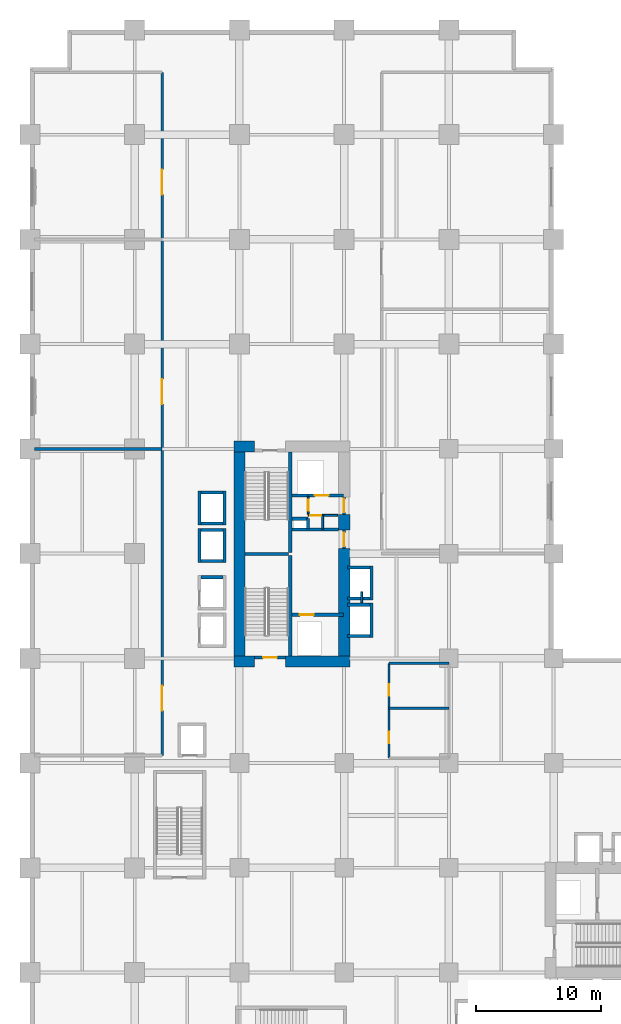
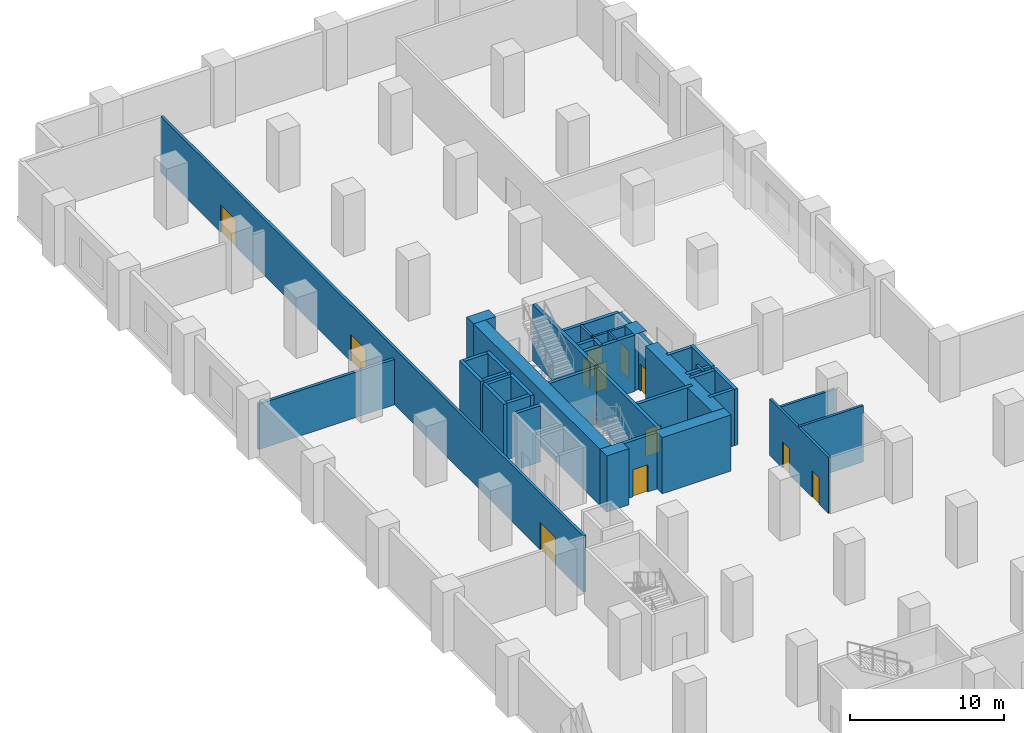
# One storey, part 12 of 22: 41 walls, 12 doors, 12 openings.
"""IFC4 building model written with IfcOpenShell, lengths in metres."""

from ifc_helpers import new_model, si_unit, direction, frame, frame_2d, origin, place, context, subcontext, project, spatial, rectangle, extrude, material, layer, layer_set, type_object, element, fill, save


model = new_model("IFC4")

# Units and contexts
model_context = context("Model", 3, precision=1e-05, world=origin(), true_north=direction((0.0, 1.0)))
body_context = subcontext(model_context, "Body", "Model", "MODEL_VIEW")
ifc_project = project(units=[si_unit("LENGTHUNIT", "METRE"), si_unit("AREAUNIT", "SQUARE_METRE"), si_unit("VOLUMEUNIT", "CUBIC_METRE"), si_unit("PLANEANGLEUNIT", "RADIAN"), si_unit("MASSUNIT", "GRAM", prefix="KILO")], contexts=[model_context])

# Site, building, storey
site_placement = place(None, origin())
site = spatial("IfcSite", under=ifc_project, at=site_placement, CompositionType="ELEMENT")
building_placement = place(site_placement, origin())
building = spatial("IfcBuilding", under=site, at=building_placement, Name="Koriwani Terraces Tower", CompositionType="ELEMENT")
storey_placement = place(building_placement, frame((0.0, 0.0, 10.800048828125)))
storey = spatial("IfcBuildingStorey", under=building, at=storey_placement, Name="L02", CompositionType="ELEMENT", Elevation=10.800048828125)

# Walls
ifc_material_1 = material(Name="Concrete C60/75", Category="concrete")
ifc_layer_1 = layer(ifc_material_1, 0.89990234375, Name="Concrete C60/75")
ifc_layer_set_1 = layer_set([ifc_layer_1], Name="Concrete C60/75")
wall_type_1 = type_object("IfcWallType", Name="WALL_CORE_RC_900", PredefinedType="SHEAR", material=ifc_layer_set_1)
wall_1_placement = place(storey_placement, frame((16.35009765625, 41.75, 0.0), z_axis=(0.0, 0.0, 1.0), x_axis=(1.0, 0.0, 0.0)))
element("IfcWall", 1, at=wall_1_placement, inside=storey, type_object=wall_type_1, Name="L02 West Split Core Shear Wall S1", PredefinedType="SHEAR", context=body_context, shape_type="SweptSolid", body=[
    extrude(rectangle(XDim=1.64990234375, YDim=0.89990234375, at=frame_2d((0.824951171875, 0.0))), origin(), (0.0, 0.0, 1.0), 4.449951171875),
])
wall_2_placement = place(storey_placement, frame((20.5, 41.75, 0.0), z_axis=(0.0, 0.0, 1.0), x_axis=(1.0, 0.0, 0.0)))
element("IfcWall", 2, at=wall_2_placement, inside=storey, type_object=wall_type_1, Name="L02 West Split Core Shear Wall S2", PredefinedType="SHEAR", context=body_context, shape_type="SweptSolid", body=[
    extrude(rectangle(XDim=5.14990234375, YDim=0.89990234375, at=frame_2d((2.574951171875, 0.0))), origin(), (0.0, 0.0, 1.0), 4.449951171875),
])
wall_3_placement = place(storey_placement, frame((16.35009765625, 59.0, 0.0), z_axis=(0.0, 0.0, 1.0), x_axis=(1.0, 0.0, 0.0)))
element("IfcWall", 3, at=wall_3_placement, inside=storey, type_object=wall_type_1, Name="L02 West Split Core Shear Wall N1", PredefinedType="SHEAR", context=body_context, shape_type="SweptSolid", body=[
    extrude(rectangle(XDim=1.64990234375, YDim=0.89990234375, at=frame_2d((0.824951171875, 0.0))), origin(), (0.0, 0.0, 1.0), 4.449951171875),
])
wall_4_placement = place(storey_placement, frame((16.800048828125, 42.199951171875, 0.0), z_axis=(0.0, 0.0, 1.0), x_axis=(0.0, 1.0, 0.0)))
element("IfcWall", 4, at=wall_4_placement, inside=storey, type_object=wall_type_1, Name="L02 West Split Core Shear Wall W1", PredefinedType="SHEAR", context=body_context, shape_type="SweptSolid", body=[
    extrude(rectangle(XDim=16.35009765625, YDim=0.89990234375, at=frame_2d((8.175048828125, 0.0))), origin(), (0.0, 0.0, 1.0), 4.449951171875),
])
wall_5_placement = place(storey_placement, frame((25.199951171875, 42.199951171875, 0.0), z_axis=(0.0, 0.0, 1.0), x_axis=(0.0, 1.0, 0.0)))
element("IfcWall", 5, at=wall_5_placement, inside=storey, type_object=wall_type_1, Name="L02 West Split Core Shear Wall E1", PredefinedType="SHEAR", context=body_context, shape_type="SweptSolid", body=[
    extrude(rectangle(XDim=8.60009765625, YDim=0.89990234375, at=frame_2d((4.300048828125, 0.0))), origin(), (0.0, 0.0, 1.0), 4.449951171875),
])
wall_6_placement = place(storey_placement, frame((25.199951171875, 52.280029296875, 0.0), z_axis=(0.0, 0.0, 1.0), x_axis=(0.0, 1.0, 0.0)))
element("IfcWall", 6, at=wall_6_placement, inside=storey, type_object=wall_type_1, Name="L02 West Split Core Shear Wall E2", PredefinedType="SHEAR", context=body_context, shape_type="SweptSolid", body=[
    extrude(rectangle(XDim=1.27001953125, YDim=0.89990234375, at=frame_2d((0.635009765625, 0.0))), origin(), (0.0, 0.0, 1.0), 4.449951171875),
])

# Wall, openings, doors
ifc_material_2 = material(Name="Autoclaved Cellular Concrete Blockwork", Category="masonry")
ifc_layer_2 = layer(ifc_material_2, 0.199951171875, Name="Autoclaved Cellular Concrete Blockwork")
ifc_layer_set_2 = layer_set([ifc_layer_2], Name="Autoclaved Cellular Concrete Blockwork")
wall_type_2 = type_object("IfcWallType", Name="WALL_CORRIDOR_200", PredefinedType="PARTITIONING", material=ifc_layer_set_2)
wall_7_placement = place(storey_placement, frame((10.60009765625, 34.199951171875, 0.0), z_axis=(0.0, 0.0, 1.0), x_axis=(0.0, 1.0, 0.0)))
wall_7 = element("IfcWall", 7, at=wall_7_placement, inside=storey, type_object=wall_type_2, Name="L02 Interior Wall WPOD-W-L02-0", PredefinedType="PARTITIONING", context=body_context, shape_type="SweptSolid", body=[
    extrude(rectangle(XDim=54.800048828125, YDim=0.199951171875, at=frame_2d((27.39990234375, 0.0))), origin(), (0.0, 0.0, 1.0), 4.449951171875),
])
opening_1_placement = place(wall_7_placement, frame((3.60009765625, 0.0, 0.0)))
opening_1 = element("IfcOpeningElement", 8, at=opening_1_placement, cuts=wall_7, Name="Opening D-02", PredefinedType="OPENING", context=body_context, shape_type="SweptSolid", body=[
    extrude(rectangle(XDim=2.0, YDim=2.14990234375, at=frame_2d((1.0, 1.074951171875))), frame((0.0, 0.10986328125, 0.0), z_axis=(0.0, -1.0, 0.0), x_axis=(1.0, 0.0, 0.0)), (0.0, 0.0, 1.0), 0.219970703125),
])
opening_2_placement = place(wall_7_placement, frame((28.199951171875, 0.0, 0.0)))
opening_2 = element("IfcOpeningElement", 9, at=opening_2_placement, cuts=wall_7, Name="Opening D-02", PredefinedType="OPENING", context=body_context, shape_type="SweptSolid", body=[
    extrude(rectangle(XDim=2.0, YDim=2.14990234375, at=frame_2d((1.0, 1.074951171875))), frame((0.0, 0.10986328125, 0.0), z_axis=(0.0, -1.0, 0.0), x_axis=(1.0, 0.0, 0.0)), (0.0, 0.0, 1.0), 0.219970703125),
])
opening_3_placement = place(wall_7_placement, frame((45.0, 0.0, 0.0)))
opening_3 = element("IfcOpeningElement", 10, at=opening_3_placement, cuts=wall_7, Name="Opening D-02", PredefinedType="OPENING", context=body_context, shape_type="SweptSolid", body=[
    extrude(rectangle(XDim=2.0, YDim=2.14990234375, at=frame_2d((1.0, 1.074951171875))), frame((0.0, 0.10986328125, 0.0), z_axis=(0.0, -1.0, 0.0), x_axis=(1.0, 0.0, 0.0)), (0.0, 0.0, 1.0), 0.219970703125),
])
ifc_material_3 = material(Name="Anodised Bronze Aluminium", Category="aluminium")
door_type_1 = type_object("IfcDoorType", Name="DOOR_ENTRANCE_DOUBLE_2000X2400", OperationType="NOTDEFINED", PredefinedType="DOOR", material=ifc_material_3)
door_1_placement = place(opening_1_placement, origin())
door_1 = element("IfcDoor", 11, at=door_1_placement, inside=storey, type_object=door_type_1, Name="L02 West Galleria Unit 1 Door", OperationType="SINGLE_SWING_LEFT", OverallHeight=2.14990234375, OverallWidth=2.0, PredefinedType="DOOR", context=body_context, shape_type="SweptSolid", body=[
    extrude(rectangle(XDim=2.0, YDim=2.14990234375, at=frame_2d((1.0, 1.074951171875))), frame((0.0, 0.02490234375, 0.0), z_axis=(0.0, -1.0, 0.0), x_axis=(1.0, 0.0, 0.0)), (0.0, 0.0, 1.0), 0.050048828125),
])
fill(opening_1, door_1)
door_2_placement = place(opening_2_placement, origin())
door_2 = element("IfcDoor", 12, at=door_2_placement, inside=storey, type_object=door_type_1, Name="L02 West Galleria Unit 2 Door", OperationType="SINGLE_SWING_RIGHT", OverallHeight=2.14990234375, OverallWidth=2.0, PredefinedType="DOOR", context=body_context, shape_type="SweptSolid", body=[
    extrude(rectangle(XDim=2.0, YDim=2.14990234375, at=frame_2d((1.0, 1.074951171875))), frame((0.0, 0.02490234375, 0.0), z_axis=(0.0, -1.0, 0.0), x_axis=(1.0, 0.0, 0.0)), (0.0, 0.0, 1.0), 0.050048828125),
])
fill(opening_2, door_2)
door_3_placement = place(opening_3_placement, origin())
door_3 = element("IfcDoor", 13, at=door_3_placement, inside=storey, type_object=door_type_1, Name="L02 West Galleria Unit 3 Door", OperationType="SINGLE_SWING_LEFT", OverallHeight=2.14990234375, OverallWidth=2.0, PredefinedType="DOOR", context=body_context, shape_type="SweptSolid", body=[
    extrude(rectangle(XDim=2.0, YDim=2.14990234375, at=frame_2d((1.0, 1.074951171875))), frame((0.0, 0.02490234375, 0.0), z_axis=(0.0, -1.0, 0.0), x_axis=(1.0, 0.0, 0.0)), (0.0, 0.0, 1.0), 0.050048828125),
])
fill(opening_3, door_3)

# Wall
ifc_layer_3 = layer(ifc_material_2, 0.219970703125, Name="Autoclaved Cellular Concrete Blockwork")
ifc_layer_set_3 = layer_set([ifc_layer_3], Name="Autoclaved Cellular Concrete Blockwork")
wall_type_3 = type_object("IfcWallType", Name="WALL_DEMISING_220", PredefinedType="PARTITIONING", material=ifc_layer_set_3)
wall_8_placement = place(storey_placement, frame((0.35009765625, 58.800048828125, 0.0), z_axis=(0.0, 0.0, 1.0), x_axis=(1.0, 0.0, 0.0)))
element("IfcWall", 14, at=wall_8_placement, inside=storey, type_object=wall_type_3, Name="L02 Interior Wall WPOD-WD-L02-1", PredefinedType="PARTITIONING", context=body_context, shape_type="SweptSolid", body=[
    extrude(rectangle(XDim=10.25, YDim=0.219970703125, at=frame_2d((5.125, 0.0))), origin(), (0.0, 0.0, 1.0), 3.599853515625),
])

# Wall, openings, doors
ifc_material_4 = material(Name="Fire-Rated Acoustic Gypsum Partition", Category="masonry")
ifc_layer_4 = layer(ifc_material_4, 0.179931640625, Name="Fire-Rated Acoustic Gypsum Partition")
ifc_layer_set_4 = layer_set([ifc_layer_4], Name="Fire-Rated Acoustic Gypsum Partition")
wall_type_4 = type_object("IfcWallType", Name="WALL_PLUMBING_180", PredefinedType="PLUMBINGWALL", material=ifc_layer_set_4)
wall_9_placement = place(storey_placement, frame((28.800048828125, 34.0, 0.0), z_axis=(0.0, 0.0, 1.0), x_axis=(0.0, 1.0, 0.0)))
wall_9 = element("IfcWall", 15, at=wall_9_placement, inside=storey, type_object=wall_type_4, Name="L02 Interior Wall WPOD-WC-L02", PredefinedType="PLUMBINGWALL", context=body_context, shape_type="SweptSolid", body=[
    extrude(rectangle(XDim=7.60009765625, YDim=0.179931640625, at=frame_2d((3.800048828125, 0.0))), origin(), (0.0, 0.0, 1.0), 4.449951171875),
])
opening_4_placement = place(wall_9_placement, frame((1.199951171875, 0.0, 0.0)))
opening_4 = element("IfcOpeningElement", 16, at=opening_4_placement, cuts=wall_9, Name="Opening D-06", PredefinedType="OPENING", context=body_context, shape_type="SweptSolid", body=[
    extrude(rectangle(XDim=0.919921875, YDim=2.10009765625, at=frame_2d((0.4599609375, 1.050048828125))), frame((0.0, 0.10009765625, 0.0), z_axis=(0.0, -1.0, 0.0), x_axis=(1.0, 0.0, 0.0)), (0.0, 0.0, 1.0), 0.199951171875),
])
opening_5_placement = place(wall_9_placement, frame((5.0, 0.0, 0.0)))
opening_5 = element("IfcOpeningElement", 17, at=opening_5_placement, cuts=wall_9, Name="Opening D-06", PredefinedType="OPENING", context=body_context, shape_type="SweptSolid", body=[
    extrude(rectangle(XDim=0.919921875, YDim=2.10009765625, at=frame_2d((0.4599609375, 1.050048828125))), frame((0.0, 0.10009765625, 0.0), z_axis=(0.0, -1.0, 0.0), x_axis=(1.0, 0.0, 0.0)), (0.0, 0.0, 1.0), 0.199951171875),
])
ifc_material_5 = material(Name="Architectural Oak Fire Door", Category="wood")
door_type_2 = type_object("IfcDoorType", Name="DOOR_ROOM_INT_920X2100", OperationType="NOTDEFINED", PredefinedType="DOOR", material=ifc_material_5)
door_4_placement = place(opening_4_placement, origin())
door_4 = element("IfcDoor", 18, at=door_4_placement, inside=storey, type_object=door_type_2, Name="L02 Public Washroom WC Door", OperationType="SINGLE_SWING_RIGHT", OverallHeight=2.10009765625, OverallWidth=0.919921875, PredefinedType="DOOR", context=body_context, shape_type="SweptSolid", body=[
    extrude(rectangle(XDim=0.919921875, YDim=2.10009765625, at=frame_2d((0.4599609375, 1.050048828125))), frame((0.0, 0.02490234375, 0.0), z_axis=(0.0, -1.0, 0.0), x_axis=(1.0, 0.0, 0.0)), (0.0, 0.0, 1.0), 0.050048828125),
])
fill(opening_4, door_4)
door_5_placement = place(opening_5_placement, origin())
door_5 = element("IfcDoor", 19, at=door_5_placement, inside=storey, type_object=door_type_2, Name="L02 Accessible WC Door", OperationType="SINGLE_SWING_LEFT", OverallHeight=2.10009765625, OverallWidth=0.919921875, PredefinedType="DOOR", context=body_context, shape_type="SweptSolid", body=[
    extrude(rectangle(XDim=0.919921875, YDim=2.10009765625, at=frame_2d((0.4599609375, 1.050048828125))), frame((0.0, 0.02490234375, 0.0), z_axis=(0.0, -1.0, 0.0), x_axis=(1.0, 0.0, 0.0)), (0.0, 0.0, 1.0), 0.050048828125),
])
fill(opening_5, door_5)

# Walls
wall_10_placement = place(storey_placement, frame((28.800048828125, 38.0, 0.0), z_axis=(0.0, 0.0, 1.0), x_axis=(1.0, 0.0, 0.0)))
element("IfcWall", 20, at=wall_10_placement, inside=storey, type_object=wall_type_4, Name="L02 Interior Wall WPOD-WCM-L02", PredefinedType="PLUMBINGWALL", context=body_context, shape_type="SweptSolid", body=[
    extrude(rectangle(XDim=4.800048828125, YDim=0.179931640625, at=frame_2d((2.39990234375, 0.0))), origin(), (0.0, 0.0, 1.0), 4.449951171875),
])
wall_11_placement = place(storey_placement, frame((28.800048828125, 41.60009765625, 0.0), z_axis=(0.0, 0.0, 1.0), x_axis=(1.0, 0.0, 0.0)))
element("IfcWall", 21, at=wall_11_placement, inside=storey, type_object=wall_type_4, Name="L02 Interior Wall WPOD-WCN-L02", PredefinedType="PLUMBINGWALL", context=body_context, shape_type="SweptSolid", body=[
    extrude(rectangle(XDim=4.800048828125, YDim=0.179931640625, at=frame_2d((2.39990234375, 0.0))), origin(), (0.0, 0.0, 1.0), 3.599853515625),
])
ifc_material_6 = material(Name="Concrete C40/50", Category="concrete")
ifc_layer_5 = layer(ifc_material_6, 0.25, Name="Concrete C40/50")
ifc_layer_set_5 = layer_set([ifc_layer_5], Name="Concrete C40/50")
wall_type_5 = type_object("IfcWallType", Name="WALL_SHAFT_RATED_250", PredefinedType="SOLIDWALL", material=ifc_layer_set_5)
for number, where, z_axis, x_axis, name in (
    (22, (20.875, 42.199951171875, 0.0), (0.0, 0.0, 1.0), (0.0, 1.0, 0.0), "L02 West Split Core Web Wall MID1"),
    (23, (20.875, 50.5, 0.0), (0.0, 0.0, 1.0), (0.0, 1.0, 0.0), "L02 West Split Core Web Wall MID2"),
):
    element("IfcWall", number, at=place(storey_placement, frame(where, z_axis=z_axis, x_axis=x_axis)), inside=storey, type_object=wall_type_5, Name=name, PredefinedType="SOLIDWALL", context=body_context, shape_type="SweptSolid", body=[
        extrude(rectangle(XDim=8.050048828125, YDim=0.25, at=frame_2d((4.02490234375, 0.0))), origin(), (0.0, 0.0, 1.0), 4.449951171875),
    ])
wall_12_placement = place(storey_placement, frame((17.25, 50.375, 0.0), z_axis=(0.0, 0.0, 1.0), x_axis=(1.0, 0.0, 0.0)))
element("IfcWall", 24, at=wall_12_placement, inside=storey, type_object=wall_type_5, Name="L02 West Split Core Stair Dividing Wall", PredefinedType="SOLIDWALL", context=body_context, shape_type="SweptSolid", body=[
    extrude(rectangle(XDim=3.5, YDim=0.25, at=frame_2d((1.75, 0.0))), origin(), (0.0, 0.0, 1.0), 4.449951171875),
])

# Wall, opening, door
wall_13_placement = place(storey_placement, frame((18.0, 42.074951171875, 0.0), z_axis=(0.0, 0.0, 1.0), x_axis=(1.0, 0.0, 0.0)))
wall_13 = element("IfcWall", 25, at=wall_13_placement, inside=storey, type_object=wall_type_5, Name="L02 Interior Wall WIN-CW-L02-STS", PredefinedType="SOLIDWALL", context=body_context, shape_type="SweptSolid", body=[
    extrude(rectangle(XDim=2.5, YDim=0.25, at=frame_2d((1.25, 0.0))), origin(), (0.0, 0.0, 1.0), 4.449951171875),
])
opening_6_placement = place(wall_13_placement, frame((0.699951171875, 0.0, 0.0)))
opening_6 = element("IfcOpeningElement", 26, at=opening_6_placement, cuts=wall_13, Name="Opening D-03", PredefinedType="OPENING", context=body_context, shape_type="SweptSolid", body=[
    extrude(rectangle(XDim=1.10009765625, YDim=2.14990234375, at=frame_2d((0.550048828125, 1.074951171875))), frame((0.0, 0.135009765625, 0.0), z_axis=(0.0, -1.0, 0.0), x_axis=(1.0, 0.0, 0.0)), (0.0, 0.0, 1.0), 0.27001953125),
])
ifc_material_7 = material(Name="Steel ASTM A572 Grade 50", Category="steel")
door_type_3 = type_object("IfcDoorType", Name="DOOR_STAIR_FIRE_1100X2150", OperationType="NOTDEFINED", PredefinedType="DOOR", material=ifc_material_7)
door_6_placement = place(opening_6_placement, origin())
door_6 = element("IfcDoor", 27, at=door_6_placement, inside=storey, type_object=door_type_3, Name="L02 Exit Stair ST-W1 Door", OperationType="SINGLE_SWING_RIGHT", OverallHeight=2.14990234375, OverallWidth=1.10009765625, PredefinedType="DOOR", context=body_context, shape_type="SweptSolid", body=[
    extrude(rectangle(XDim=1.10009765625, YDim=2.14990234375, at=frame_2d((0.550048828125, 1.074951171875))), frame((0.0, 0.02490234375, 0.0), z_axis=(0.0, -1.0, 0.0), x_axis=(1.0, 0.0, 0.0)), (0.0, 0.0, 1.0), 0.050048828125),
])
fill(opening_6, door_6)

wall_14_placement = place(storey_placement, frame((21.0, 45.5, 0.0), z_axis=(0.0, 0.0, 1.0), x_axis=(1.0, 0.0, 0.0)))
wall_14 = element("IfcWall", 28, at=wall_14_placement, inside=storey, type_object=wall_type_5, Name="L02 Interior Wall WIN-CW-L02-FE", PredefinedType="SOLIDWALL", context=body_context, shape_type="SweptSolid", body=[
    extrude(rectangle(XDim=4.14990234375, YDim=0.25, at=frame_2d((2.074951171875, 0.0))), origin(), (0.0, 0.0, 1.0), 4.449951171875),
])
opening_7_placement = place(wall_14_placement, frame((0.64990234375, 0.0, 0.0)))
opening_7 = element("IfcOpeningElement", 29, at=opening_7_placement, cuts=wall_14, Name="Opening LD-01", PredefinedType="OPENING", context=body_context, shape_type="SweptSolid", body=[
    extrude(rectangle(XDim=1.10009765625, YDim=2.14990234375, at=frame_2d((0.550048828125, 1.074951171875))), frame((0.0, 0.135009765625, 0.0), z_axis=(0.0, -1.0, 0.0), x_axis=(1.0, 0.0, 0.0)), (0.0, 0.0, 1.0), 0.27001953125),
])
door_type_4 = type_object("IfcDoorType", Name="DOOR_LIFT_LANDING_1100X2200", OperationType="NOTDEFINED", PredefinedType="DOOR", material=ifc_material_7)
door_7_placement = place(opening_7_placement, origin())
door_7 = element("IfcDoor", 30, at=door_7_placement, inside=storey, type_object=door_type_4, Name="L02 Firefighting Lift FE-01 Landing Door", OperationType="SLIDING_TO_LEFT", OverallHeight=2.14990234375, OverallWidth=1.10009765625, PredefinedType="DOOR", context=body_context, shape_type="SweptSolid", body=[
    extrude(rectangle(XDim=1.10009765625, YDim=2.14990234375, at=frame_2d((0.550048828125, 1.074951171875))), frame((0.0, 0.02490234375, 0.0), z_axis=(0.0, -1.0, 0.0), x_axis=(1.0, 0.0, 0.0)), (0.0, 0.0, 1.0), 0.050048828125),
])
fill(opening_7, door_7)

wall_15_placement = place(storey_placement, frame((25.199951171875, 50.800048828125, 0.0), z_axis=(0.0, 0.0, 1.0), x_axis=(0.0, 1.0, 0.0)))
wall_15 = element("IfcWall", 31, at=wall_15_placement, inside=storey, type_object=wall_type_5, Name="L02 Interior Wall WIN-CW-L02-EP", PredefinedType="SOLIDWALL", context=body_context, shape_type="SweptSolid", body=[
    extrude(rectangle(XDim=1.47998046875, YDim=0.25, at=frame_2d((0.739990234375, 0.0))), origin(), (0.0, 0.0, 1.0), 4.449951171875),
])
opening_8_placement = place(wall_15_placement, frame((0.179931640625, 0.0, 0.0)))
opening_8 = element("IfcOpeningElement", 32, at=opening_8_placement, cuts=wall_15, Name="Opening D-03", PredefinedType="OPENING", context=body_context, shape_type="SweptSolid", body=[
    extrude(rectangle(XDim=1.10009765625, YDim=2.14990234375, at=frame_2d((0.550048828125, 1.074951171875))), frame((0.0, 0.135009765625, 0.0), z_axis=(0.0, -1.0, 0.0), x_axis=(1.0, 0.0, 0.0)), (0.0, 0.0, 1.0), 0.27001953125),
])
door_8_placement = place(opening_8_placement, origin())
door_8 = element("IfcDoor", 33, at=door_8_placement, inside=storey, type_object=door_type_3, Name="L02 West Firefighting Lobby Door", OperationType="SINGLE_SWING_RIGHT", OverallHeight=2.14990234375, OverallWidth=1.10009765625, PredefinedType="DOOR", context=body_context, shape_type="SweptSolid", body=[
    extrude(rectangle(XDim=1.10009765625, YDim=2.14990234375, at=frame_2d((0.550048828125, 1.074951171875))), frame((0.0, 0.02490234375, 0.0), z_axis=(0.0, -1.0, 0.0), x_axis=(1.0, 0.0, 0.0)), (0.0, 0.0, 1.0), 0.050048828125),
])
fill(opening_8, door_8)

# Wall
wall_16_placement = place(storey_placement, frame((21.0, 52.340087890625, 0.0), z_axis=(0.0, 0.0, 1.0), x_axis=(1.0, 0.0, 0.0)))
element("IfcWall", 34, at=wall_16_placement, inside=storey, type_object=wall_type_5, Name="L02 Interior Wall WIN-CW-L02-FFN", PredefinedType="SOLIDWALL", context=body_context, shape_type="SweptSolid", body=[
    extrude(rectangle(XDim=3.75, YDim=0.25, at=frame_2d((1.875, 0.0))), origin(), (0.0, 0.0, 1.0), 4.449951171875),
])

# Wall, opening, door
wall_17_placement = place(storey_placement, frame((21.0, 55.050048828125, 0.0), z_axis=(0.0, 0.0, 1.0), x_axis=(1.0, 0.0, 0.0)))
wall_17 = element("IfcWall", 35, at=wall_17_placement, inside=storey, type_object=wall_type_5, Name="L02 Interior Wall WIN-CW-L02-SE", PredefinedType="SOLIDWALL", context=body_context, shape_type="SweptSolid", body=[
    extrude(rectangle(XDim=4.14990234375, YDim=0.25, at=frame_2d((2.074951171875, 0.0))), origin(), (0.0, 0.0, 1.0), 4.449951171875),
])
opening_9_placement = place(wall_17_placement, frame((1.85009765625, 0.0, 0.0)))
opening_9 = element("IfcOpeningElement", 36, at=opening_9_placement, cuts=wall_17, Name="Opening LD-01", PredefinedType="OPENING", context=body_context, shape_type="SweptSolid", body=[
    extrude(rectangle(XDim=1.10009765625, YDim=2.14990234375, at=frame_2d((0.550048828125, 1.074951171875))), frame((0.0, 0.135009765625, 0.0), z_axis=(0.0, -1.0, 0.0), x_axis=(1.0, 0.0, 0.0)), (0.0, 0.0, 1.0), 0.27001953125),
])
door_9_placement = place(opening_9_placement, origin())
door_9 = element("IfcDoor", 37, at=door_9_placement, inside=storey, type_object=door_type_4, Name="L02 Goods Lift SE-01 Landing Door", OperationType="SLIDING_TO_LEFT", OverallHeight=2.14990234375, OverallWidth=1.10009765625, PredefinedType="DOOR", context=body_context, shape_type="SweptSolid", body=[
    extrude(rectangle(XDim=1.10009765625, YDim=2.14990234375, at=frame_2d((0.550048828125, 1.074951171875))), frame((0.0, 0.02490234375, 0.0), z_axis=(0.0, -1.0, 0.0), x_axis=(1.0, 0.0, 0.0)), (0.0, 0.0, 1.0), 0.050048828125),
])
fill(opening_9, door_9)

wall_18_placement = place(storey_placement, frame((25.199951171875, 53.550048828125, 0.0), z_axis=(0.0, 0.0, 1.0), x_axis=(0.0, 1.0, 0.0)))
wall_18 = element("IfcWall", 38, at=wall_18_placement, inside=storey, type_object=wall_type_5, Name="L02 Interior Wall WIN-CW-L02-EP2", PredefinedType="SOLIDWALL", context=body_context, shape_type="SweptSolid", body=[
    extrude(rectangle(XDim=1.39990234375, YDim=0.25, at=frame_2d((0.699951171875, 0.0))), origin(), (0.0, 0.0, 1.0), 4.449951171875),
])
opening_10_placement = place(wall_18_placement, frame((0.14990234375, 0.0, 0.0)))
opening_10 = element("IfcOpeningElement", 39, at=opening_10_placement, cuts=wall_18, Name="Opening D-03", PredefinedType="OPENING", context=body_context, shape_type="SweptSolid", body=[
    extrude(rectangle(XDim=1.10009765625, YDim=2.14990234375, at=frame_2d((0.550048828125, 1.074951171875))), frame((0.0, 0.135009765625, 0.0), z_axis=(0.0, -1.0, 0.0), x_axis=(1.0, 0.0, 0.0)), (0.0, 0.0, 1.0), 0.27001953125),
])
door_10_placement = place(opening_10_placement, origin())
door_10 = element("IfcDoor", 40, at=door_10_placement, inside=storey, type_object=door_type_3, Name="L02 West Goods Lift Lobby Door", OperationType="SINGLE_SWING_LEFT", OverallHeight=2.14990234375, OverallWidth=1.10009765625, PredefinedType="DOOR", context=body_context, shape_type="SweptSolid", body=[
    extrude(rectangle(XDim=1.10009765625, YDim=2.14990234375, at=frame_2d((0.550048828125, 1.074951171875))), frame((0.0, 0.02490234375, 0.0), z_axis=(0.0, -1.0, 0.0), x_axis=(1.0, 0.0, 0.0)), (0.0, 0.0, 1.0), 0.050048828125),
])
fill(opening_10, door_10)

# Walls
wall_19_placement = place(storey_placement, frame((21.0, 53.199951171875, 0.0), z_axis=(0.0, 0.0, 1.0), x_axis=(1.0, 0.0, 0.0)))
element("IfcWall", 41, at=wall_19_placement, inside=storey, type_object=wall_type_5, Name="L02 Interior Wall WIN-CW-L02-RS1", PredefinedType="SOLIDWALL", context=body_context, shape_type="SweptSolid", body=[
    extrude(rectangle(XDim=1.300048828125, YDim=0.25, at=frame_2d((0.64990234375, 0.0))), origin(), (0.0, 0.0, 1.0), 4.449951171875),
])
wall_20_placement = place(storey_placement, frame((22.300048828125, 52.360107421875, 0.0), z_axis=(0.0, 0.0, 1.0), x_axis=(0.0, 1.0, 0.0)))
element("IfcWall", 42, at=wall_20_placement, inside=storey, type_object=wall_type_5, Name="L02 Interior Wall WIN-CW-L02-RS2", PredefinedType="SOLIDWALL", context=body_context, shape_type="SweptSolid", body=[
    extrude(rectangle(XDim=0.83984375, YDim=0.25, at=frame_2d((0.419921875, 0.0))), origin(), (0.0, 0.0, 1.0), 4.449951171875),
])
wall_21_placement = place(storey_placement, frame((13.72509765625, 48.5, 0.0), z_axis=(0.0, 0.0, 1.0), x_axis=(1.0, 0.0, 0.0)))
element("IfcWall", 43, at=wall_21_placement, inside=storey, type_object=wall_type_5, Name="L02 Interior Wall WIN-LF-PE-L2-L02-N", PredefinedType="SOLIDWALL", context=body_context, shape_type="SweptSolid", body=[
    extrude(rectangle(XDim=1.75, YDim=0.25, at=frame_2d((0.875, 0.0))), origin(), (0.0, 0.0, 1.0), 4.449951171875),
])
for number, where, z_axis, x_axis, name in (
    (44, (13.60009765625, 49.675048828125, 0.0), (0.0, 0.0, 1.0), (0.0, 1.0, 0.0), "L02 Interior Wall WIN-LF-PE-M1-L02-F"),
    (45, (15.60009765625, 49.675048828125, 0.0), (0.0, 0.0, 1.0), (0.0, 1.0, 0.0), "L02 Interior Wall WIN-LF-PE-M1-L02-B"),
):
    element("IfcWall", number, at=place(storey_placement, frame(where, z_axis=z_axis, x_axis=x_axis)), inside=storey, type_object=wall_type_5, Name=name, PredefinedType="SOLIDWALL", context=body_context, shape_type="SweptSolid", body=[
        extrude(rectangle(XDim=2.75, YDim=0.25, at=frame_2d((1.375, 0.0))), origin(), (0.0, 0.0, 1.0), 4.449951171875),
    ])
for number, where, z_axis, x_axis, name in (
    (46, (13.72509765625, 49.800048828125, 0.0), (0.0, 0.0, 1.0), (1.0, 0.0, 0.0), "L02 Interior Wall WIN-LF-PE-M1-L02-S"),
    (47, (13.72509765625, 52.300048828125, 0.0), (0.0, 0.0, 1.0), (1.0, 0.0, 0.0), "L02 Interior Wall WIN-LF-PE-M1-L02-N"),
):
    element("IfcWall", number, at=place(storey_placement, frame(where, z_axis=z_axis, x_axis=x_axis)), inside=storey, type_object=wall_type_5, Name=name, PredefinedType="SOLIDWALL", context=body_context, shape_type="SweptSolid", body=[
        extrude(rectangle(XDim=1.75, YDim=0.25, at=frame_2d((0.875, 0.0))), origin(), (0.0, 0.0, 1.0), 4.449951171875),
    ])
for number, where, z_axis, x_axis, name in (
    (48, (13.60009765625, 52.675048828125, 0.0), (0.0, 0.0, 1.0), (0.0, 1.0, 0.0), "L02 Interior Wall WIN-LF-PE-M2-L02-F"),
    (49, (15.60009765625, 52.675048828125, 0.0), (0.0, 0.0, 1.0), (0.0, 1.0, 0.0), "L02 Interior Wall WIN-LF-PE-M2-L02-B"),
):
    element("IfcWall", number, at=place(storey_placement, frame(where, z_axis=z_axis, x_axis=x_axis)), inside=storey, type_object=wall_type_5, Name=name, PredefinedType="SOLIDWALL", context=body_context, shape_type="SweptSolid", body=[
        extrude(rectangle(XDim=2.75, YDim=0.25, at=frame_2d((1.375, 0.0))), origin(), (0.0, 0.0, 1.0), 4.449951171875),
    ])
for number, where, z_axis, x_axis, name in (
    (50, (13.72509765625, 52.800048828125, 0.0), (0.0, 0.0, 1.0), (1.0, 0.0, 0.0), "L02 Interior Wall WIN-LF-PE-M2-L02-S"),
    (51, (13.72509765625, 55.300048828125, 0.0), (0.0, 0.0, 1.0), (1.0, 0.0, 0.0), "L02 Interior Wall WIN-LF-PE-M2-L02-N"),
):
    element("IfcWall", number, at=place(storey_placement, frame(where, z_axis=z_axis, x_axis=x_axis)), inside=storey, type_object=wall_type_5, Name=name, PredefinedType="SOLIDWALL", context=body_context, shape_type="SweptSolid", body=[
        extrude(rectangle(XDim=1.75, YDim=0.25, at=frame_2d((0.875, 0.0))), origin(), (0.0, 0.0, 1.0), 4.449951171875),
    ])
wall_22_placement = place(storey_placement, frame((27.39990234375, 43.675048828125, 0.0), z_axis=(0.0, 0.0, 1.0), x_axis=(0.0, 1.0, 0.0)))
element("IfcWall", 52, at=wall_22_placement, inside=storey, type_object=wall_type_5, Name="L02 Interior Wall WIN-LF-PE-H1-L02-F", PredefinedType="SOLIDWALL", context=body_context, shape_type="SweptSolid", body=[
    extrude(rectangle(XDim=2.75, YDim=0.25, at=frame_2d((1.375, 0.0))), origin(), (0.0, 0.0, 1.0), 4.449951171875),
])
for number, where, z_axis, x_axis, name in (
    (53, (25.449951171875, 43.800048828125, 0.0), (0.0, 0.0, 1.0), (1.0, 0.0, 0.0), "L02 Interior Wall WIN-LF-PE-H1-L02-S"),
    (54, (25.449951171875, 46.300048828125, 0.0), (0.0, 0.0, 1.0), (1.0, 0.0, 0.0), "L02 Interior Wall WIN-LF-PE-H1-L02-N"),
):
    element("IfcWall", number, at=place(storey_placement, frame(where, z_axis=z_axis, x_axis=x_axis)), inside=storey, type_object=wall_type_5, Name=name, PredefinedType="SOLIDWALL", context=body_context, shape_type="SweptSolid", body=[
        extrude(rectangle(XDim=1.824951171875, YDim=0.25, at=frame_2d((0.91259765625, 0.0))), origin(), (0.0, 0.0, 1.0), 4.449951171875),
    ])
wall_23_placement = place(storey_placement, frame((27.39990234375, 46.675048828125, 0.0), z_axis=(0.0, 0.0, 1.0), x_axis=(0.0, 1.0, 0.0)))
element("IfcWall", 55, at=wall_23_placement, inside=storey, type_object=wall_type_5, Name="L02 Interior Wall WIN-LF-PE-H2-L02-F", PredefinedType="SOLIDWALL", context=body_context, shape_type="SweptSolid", body=[
    extrude(rectangle(XDim=2.75, YDim=0.25, at=frame_2d((1.375, 0.0))), origin(), (0.0, 0.0, 1.0), 4.449951171875),
])
for number, where, z_axis, x_axis, name in (
    (56, (25.449951171875, 46.800048828125, 0.0), (0.0, 0.0, 1.0), (1.0, 0.0, 0.0), "L02 Interior Wall WIN-LF-PE-H2-L02-S"),
    (57, (25.449951171875, 49.300048828125, 0.0), (0.0, 0.0, 1.0), (1.0, 0.0, 0.0), "L02 Interior Wall WIN-LF-PE-H2-L02-N"),
):
    element("IfcWall", number, at=place(storey_placement, frame(where, z_axis=z_axis, x_axis=x_axis)), inside=storey, type_object=wall_type_5, Name=name, PredefinedType="SOLIDWALL", context=body_context, shape_type="SweptSolid", body=[
        extrude(rectangle(XDim=1.824951171875, YDim=0.25, at=frame_2d((0.91259765625, 0.0))), origin(), (0.0, 0.0, 1.0), 4.449951171875),
    ])

# Wall, opening, door
ifc_layer_6 = layer(ifc_material_4, 0.159912109375, Name="Fire-Rated Acoustic Gypsum Partition")
ifc_layer_set_6 = layer_set([ifc_layer_6], Name="Fire-Rated Acoustic Gypsum Partition")
wall_type_6 = type_object("IfcWallType", Name="WALL_SUITE_160", PredefinedType="PARTITIONING", material=ifc_layer_set_6)
wall_24_placement = place(storey_placement, frame((22.320068359375, 53.56005859375, 0.0), z_axis=(0.0, 0.0, 1.0), x_axis=(0.0, 1.0, 0.0)))
wall_24 = element("IfcWall", 58, at=wall_24_placement, inside=storey, type_object=wall_type_6, Name="L02 Interior Wall WIN-CW-L02-SV2A", PredefinedType="PARTITIONING", context=body_context, shape_type="SweptSolid", body=[
    extrude(rectangle(XDim=1.43994140625, YDim=0.159912109375, at=frame_2d((0.719970703125, 0.0))), origin(), (0.0, 0.0, 1.0), 4.449951171875),
])
opening_11_placement = place(wall_24_placement, frame((0.260009765625, 0.0, 0.0)))
opening_11 = element("IfcOpeningElement", 59, at=opening_11_placement, cuts=wall_24, Name="Opening D-07", PredefinedType="OPENING", context=body_context, shape_type="SweptSolid", body=[
    extrude(rectangle(XDim=0.89990234375, YDim=2.10009765625, at=frame_2d((0.449951171875, 1.050048828125))), frame((0.0, 0.08984375, 0.0), z_axis=(0.0, -1.0, 0.0), x_axis=(1.0, 0.0, 0.0)), (0.0, 0.0, 1.0), 0.179931640625),
])
door_type_5 = type_object("IfcDoorType", Name="DOOR_BATH_INT_900X2100", OperationType="NOTDEFINED", PredefinedType="DOOR", material=ifc_material_5)
door_11_placement = place(opening_11_placement, origin())
door_11 = element("IfcDoor", 60, at=door_11_placement, inside=storey, type_object=door_type_5, Name="L02 West Meter Room Door", OperationType="SINGLE_SWING_RIGHT", OverallHeight=2.10009765625, OverallWidth=0.89990234375, PredefinedType="DOOR", context=body_context, shape_type="SweptSolid", body=[
    extrude(rectangle(XDim=0.89990234375, YDim=2.10009765625, at=frame_2d((0.449951171875, 1.050048828125))), frame((0.0, 0.02490234375, 0.0), z_axis=(0.0, -1.0, 0.0), x_axis=(1.0, 0.0, 0.0)), (0.0, 0.0, 1.0), 0.050048828125),
])
fill(opening_11, door_11)

wall_25_placement = place(storey_placement, frame((22.320068359375, 53.4599609375, 0.0), z_axis=(0.0, 0.0, 1.0), x_axis=(1.0, 0.0, 0.0)))
wall_25 = element("IfcWall", 61, at=wall_25_placement, inside=storey, type_object=wall_type_6, Name="L02 Interior Wall WIN-CW-L02-SV2H", PredefinedType="PARTITIONING", context=body_context, shape_type="SweptSolid", body=[
    extrude(rectangle(XDim=2.35986328125, YDim=0.159912109375, at=frame_2d((1.179931640625, 0.0))), origin(), (0.0, 0.0, 1.0), 4.449951171875),
])
opening_12_placement = place(wall_25_placement, frame((0.159912109375, 0.0, 0.0)))
opening_12 = element("IfcOpeningElement", 62, at=opening_12_placement, cuts=wall_25, Name="Opening D-07", PredefinedType="OPENING", context=body_context, shape_type="SweptSolid", body=[
    extrude(rectangle(XDim=0.89990234375, YDim=2.10009765625, at=frame_2d((0.449951171875, 1.050048828125))), frame((0.0, 0.08984375, 0.0), z_axis=(0.0, -1.0, 0.0), x_axis=(1.0, 0.0, 0.0)), (0.0, 0.0, 1.0), 0.179931640625),
])
door_12_placement = place(opening_12_placement, origin())
door_12 = element("IfcDoor", 63, at=door_12_placement, inside=storey, type_object=door_type_5, Name="L02 West Valve Room Door", OperationType="SINGLE_SWING_LEFT", OverallHeight=2.10009765625, OverallWidth=0.89990234375, PredefinedType="DOOR", context=body_context, shape_type="SweptSolid", body=[
    extrude(rectangle(XDim=0.89990234375, YDim=2.10009765625, at=frame_2d((0.449951171875, 1.050048828125))), frame((0.0, 0.02490234375, 0.0), z_axis=(0.0, -1.0, 0.0), x_axis=(1.0, 0.0, 0.0)), (0.0, 0.0, 1.0), 0.050048828125),
])
fill(opening_12, door_12)

# Walls
wall_26_placement = place(storey_placement, frame((23.47998046875, 52.360107421875, 0.0), z_axis=(0.0, 0.0, 1.0), x_axis=(0.0, 1.0, 0.0)))
element("IfcWall", 64, at=wall_26_placement, inside=storey, type_object=wall_type_6, Name="L02 Interior Wall WIN-CW-L02-SV2V", PredefinedType="PARTITIONING", context=body_context, shape_type="SweptSolid", body=[
    extrude(rectangle(XDim=1.099853515625, YDim=0.159912109375, at=frame_2d((0.5498046875, 0.0))), origin(), (0.0, 0.0, 1.0), 4.449951171875),
])
wall_27_placement = place(storey_placement, frame((26.60009765625, 46.4599609375, 0.0), z_axis=(0.0, 0.0, 1.0), x_axis=(0.0, 1.0, 0.0)))
element("IfcWall", 65, at=wall_27_placement, inside=storey, type_object=wall_type_6, Name="L02 Interior Wall WIN-LF-PEH12-MID-L02", PredefinedType="PARTITIONING", context=body_context, shape_type="SweptSolid", body=[
    extrude(rectangle(XDim=0.880126953125, YDim=0.159912109375, at=frame_2d((0.43994140625, 0.0))), origin(), (0.0, 0.0, 1.0), 4.449951171875),
])

save(model, "model.ifc")
